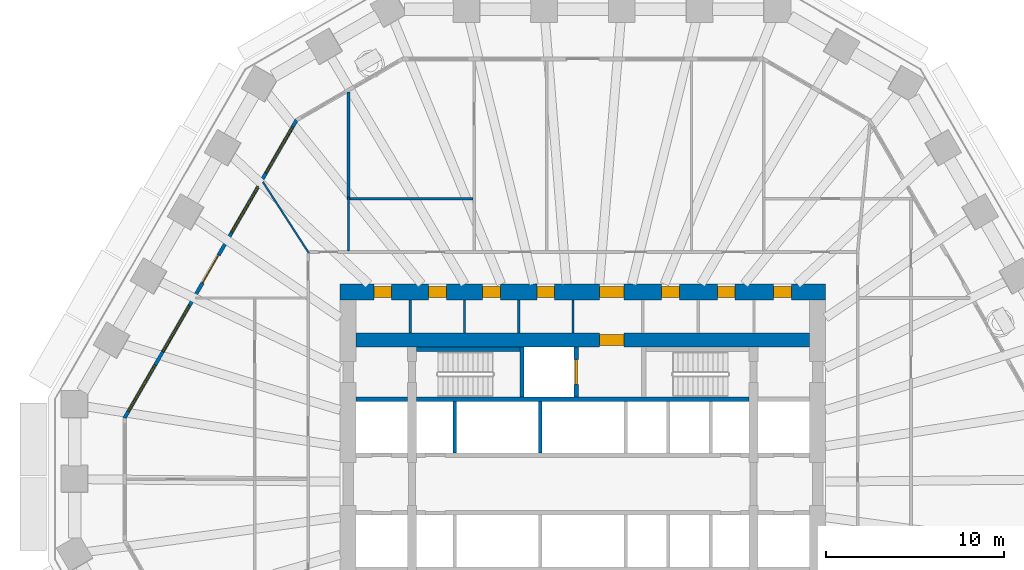
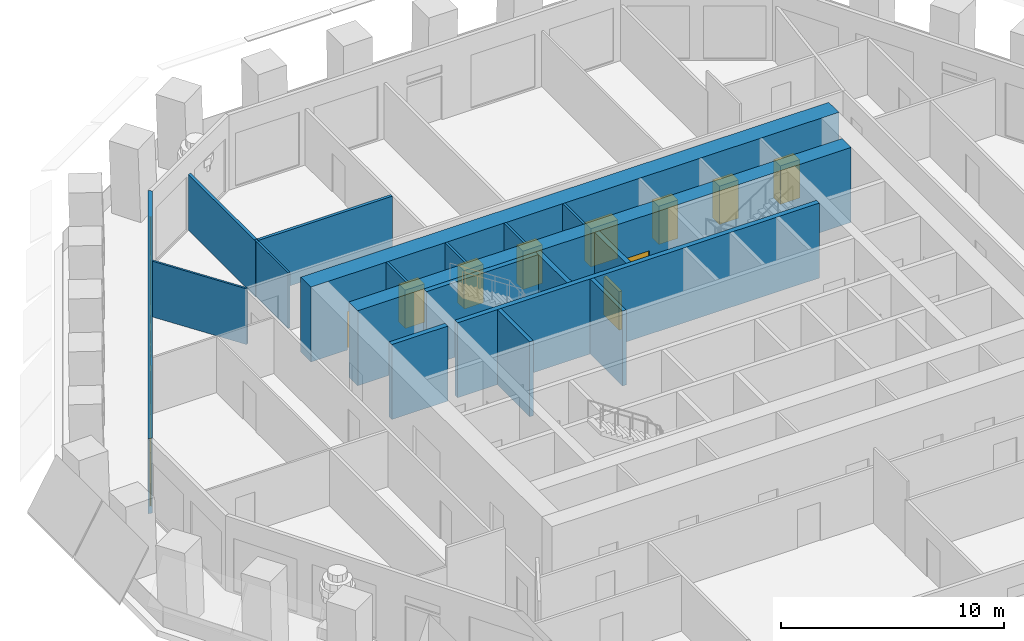
# One storey, part 7 of 13: 18 walls, 11 doors, 5 windows, 16 openings.
"""IFC4 building model written with IfcOpenShell, lengths in metres."""

import ifcopenshell
import ifcopenshell.guid

model = None  # the IFC model being written
_history = None  # IfcOwnerHistory: only IFC2X3 demands one
_inside = {}  # id of a spatial element -> (the spatial element, [elements in it])
_under = {}  # id of a project, library or spatial element -> (it, [spatial elements below it])
_declared = {}  # id of a project -> (the project, [libraries it declares])
_typed = {}  # id of a type object -> (the type object, [elements of that type])
_made_of = {}  # id of a material, layer set ... -> (it, [elements and type objects made of it])


def new_model(schema):
    """Start an empty IFC model of exactly this schema.

    Asked for "IFC4X3", IfcOpenShell would pick the latest addendum, in which some entities
    have other attributes; the version numbers below select the first issue.
    IFC2X3 requires an IfcOwnerHistory on every rooted entity: one is made here for all.
    """
    global model, _history
    if schema == "IFC4X3":
        model = ifcopenshell.file(schema_version=(4, 3, 0, 0))
    else:
        model = ifcopenshell.file(schema=schema)
    _inside.clear()
    _under.clear()
    _declared.clear()
    _typed.clear()
    _made_of.clear()
    _history = None
    if model.schema == "IFC2X3":
        org = make("IfcOrganization", Name="unknown")
        user = make(
            "IfcPersonAndOrganization",
            ThePerson=make("IfcPerson", FamilyName="unknown"),
            TheOrganization=org,
        )
        app = make(
            "IfcApplication",
            ApplicationDeveloper=org,
            Version="unknown",
            ApplicationFullName="unknown",
            ApplicationIdentifier="unknown",
        )
        _history = make(
            "IfcOwnerHistory",
            OwningUser=user,
            OwningApplication=app,
            ChangeAction="ADDED",
            CreationDate=0,
        )
    return model


def make(cls, **values):
    """One entity of the class cls with the attributes given. An attribute that is None is left unset."""
    return model.create_entity(
        cls, **{name: value for name, value in values.items() if value is not None}
    )


def rooted(cls, **values):
    """An entity with a GlobalId (a new one), such as an element, a storey or a relation."""
    return make(cls, GlobalId=ifcopenshell.guid.new(), OwnerHistory=_history, **values)


def si_unit(unit_type, name, prefix=None):
    """IfcSIUnit, for example si_unit("LENGTHUNIT", "METRE", prefix="MILLI")."""
    return make("IfcSIUnit", UnitType=unit_type, Prefix=prefix, Name=name)


def assignment(units):
    """IfcUnitAssignment: the units of a project."""
    return None if units is None else make("IfcUnitAssignment", Units=units)


def point(xyz):
    """IfcCartesianPoint."""
    return None if xyz is None else make("IfcCartesianPoint", Coordinates=xyz)


def direction(xyz):
    """IfcDirection."""
    return None if xyz is None else make("IfcDirection", DirectionRatios=xyz)


def frame(location, z_axis=None, x_axis=None):
    """IfcAxis2Placement3D, a coordinate frame: its origin and axes. An axis left out is left unset."""
    return make(
        "IfcAxis2Placement3D",
        Location=point(location),
        Axis=direction(z_axis),
        RefDirection=direction(x_axis),
    )


def frame_2d(location, x_axis=None):
    """IfcAxis2Placement2D, a coordinate frame in the plane: its origin and x axis."""
    return make(
        "IfcAxis2Placement2D", Location=point(location), RefDirection=direction(x_axis)
    )


def origin():
    """The frame at (0, 0, 0) with its axes left unset."""
    return frame((0.0, 0.0, 0.0))


def place(relative_to, where):
    """IfcLocalPlacement: puts the frame where relative to a parent placement (None: the world)."""
    return make(
        "IfcLocalPlacement", PlacementRelTo=relative_to, RelativePlacement=where
    )


def context(
    kind, dimensions, precision=None, world=None, true_north=None, identifier=None
):
    """IfcGeometricRepresentationContext, for example the 3D "Model" context."""
    return make(
        "IfcGeometricRepresentationContext",
        ContextIdentifier=identifier,
        ContextType=kind,
        CoordinateSpaceDimension=dimensions,
        Precision=precision,
        WorldCoordinateSystem=world,
        TrueNorth=true_north,
    )


def subcontext(parent, identifier, kind, view, scale=None):
    """IfcGeometricRepresentationSubContext, for example "Body" below "Model"."""
    return make(
        "IfcGeometricRepresentationSubContext",
        ContextIdentifier=identifier,
        ContextType=kind,
        ParentContext=parent,
        TargetScale=scale,
        TargetView=view,
    )


def project(units=None, contexts=None):
    """IfcProject with its units and contexts."""
    return rooted(
        "IfcProject",
        Name="project",
        RepresentationContexts=contexts,
        UnitsInContext=assignment(units),
    )


def spatial(cls, under=None, at=None, **own):
    """A site, building, storey or space (cls), placed at a placement, below another one or the project."""
    s = rooted(cls, ObjectPlacement=at, **own)
    if under is not None:
        _under.setdefault(under.id(), (under, []))[1].append(s)
    return s


def polyline(points):
    """IfcPolyline through the points."""
    return make("IfcPolyline", Points=[point(p) for p in points])


def profile(cls, at=None, kind="AREA", **sizes):
    """A parametric profile (cls). Its sizes go by their IFC names, for example OverallWidth=200.0."""
    return make(cls, ProfileType=kind, Position=at, **sizes)


def rectangle(**sizes):
    """IfcRectangleProfileDef."""
    return profile("IfcRectangleProfileDef", **sizes)


def outline(outer, holes=None, kind="AREA"):
    """IfcArbitraryClosedProfileDef: a profile drawn as a closed curve; with holes, ...WithVoids."""
    if holes is None:
        return make("IfcArbitraryClosedProfileDef", ProfileType=kind, OuterCurve=outer)
    return make(
        "IfcArbitraryProfileDefWithVoids",
        ProfileType=kind,
        OuterCurve=outer,
        InnerCurves=holes,
    )


def extrude(swept, where, along, depth):
    """IfcExtrudedAreaSolid: the profile swept, set in the frame where, extruded along a direction by depth."""
    return make(
        "IfcExtrudedAreaSolid",
        SweptArea=swept,
        Position=where,
        ExtrudedDirection=direction(along),
        Depth=depth,
    )


def shape(context_of_items, identifier, shape_type, items):
    """IfcShapeRepresentation: the items that make up one representation, for example the "Body"."""
    return make(
        "IfcShapeRepresentation",
        ContextOfItems=context_of_items,
        RepresentationIdentifier=identifier,
        RepresentationType=shape_type,
        Items=items,
    )


def material(Name=None, Category=None):
    """IfcMaterial."""
    return make("IfcMaterial", Name=Name, Category=Category)


def layer(
    of_material, thickness, ventilated=None, Name=None, Category=None, Priority=None
):
    """IfcMaterialLayer: one layer of a wall or slab, of a material (None: an air gap)."""
    return make(
        "IfcMaterialLayer",
        Material=of_material,
        LayerThickness=thickness,
        IsVentilated=ventilated,
        Name=Name,
        Category=Category,
        Priority=Priority,
    )


def layer_set(layers, Name=None):
    """IfcMaterialLayerSet."""
    return make("IfcMaterialLayerSet", MaterialLayers=layers, LayerSetName=Name)


def made_of(thing, what):
    """Note that an element or type object is made of a material, layer set ...; save() writes the relation."""
    if what is not None:
        _made_of.setdefault(what.id(), (what, []))[1].append(thing)
    return thing


def type_object(cls, material=None, **own):
    """A type object (cls), such as IfcWallType, which elements share."""
    return made_of(rooted(cls, **own), material)


def element(
    cls,
    number,
    at=None,
    inside=None,
    cuts=None,
    type_object=None,
    material=None,
    context=None,
    identifier="Body",
    shape_type=None,
    held_by="IfcProductDefinitionShape",
    body=None,
    shapes=None,
    **own,
):
    """One element of the class cls, such as IfcWall. Its Tag is "e" and its number.

    at: its placement. inside: the storey or other place that contains it. cuts: it is an
    opening in that element (IfcRelVoidsElement). A single representation is given by context,
    identifier, shape_type and body (its items); several are given by shapes. held_by: the class
    of the entity that holds the representations. save() writes the other relations.
    """
    e = rooted(cls, Tag="e%d" % number, ObjectPlacement=at, **own)
    if body is not None:
        shapes = [shape(context, identifier, shape_type, body)]
    if shapes is not None:
        e.Representation = make(held_by, Representations=shapes)
    if inside is not None:
        _inside.setdefault(inside.id(), (inside, []))[1].append(e)
    if cuts is not None:
        rooted(
            "IfcRelVoidsElement", RelatingBuildingElement=cuts, RelatedOpeningElement=e
        )
    if type_object is not None:
        _typed.setdefault(type_object.id(), (type_object, []))[1].append(e)
    return made_of(e, material)


def fill(opening, filler):
    """IfcRelFillsElement: the door or window that sits in an opening."""
    return rooted(
        "IfcRelFillsElement",
        RelatingOpeningElement=opening,
        RelatedBuildingElement=filler,
    )


def aggregate(whole, parts):
    """IfcRelAggregates: a whole, such as a stair, and the parts it consists of."""
    return rooted("IfcRelAggregates", RelatingObject=whole, RelatedObjects=parts)


def save(model, path):
    """Write the relations noted so far, then the file.

    IfcRelAggregates (storeys below a building ...), IfcRelContainedInSpatialStructure (elements
    in a storey), IfcRelDefinesByType, IfcRelAssociatesMaterial and IfcRelDeclares: one each for
    every whole, place, type object, material and project.
    """
    for whole, parts in _under.values():
        aggregate(whole, parts)
    for where, things in _inside.values():
        rooted(
            "IfcRelContainedInSpatialStructure",
            RelatedElements=things,
            RelatingStructure=where,
        )
    for kind, things in _typed.values():
        rooted("IfcRelDefinesByType", RelatedObjects=things, RelatingType=kind)
    for what, things in _made_of.values():
        rooted("IfcRelAssociatesMaterial", RelatedObjects=things, RelatingMaterial=what)
    for by, libraries in _declared.values():
        rooted("IfcRelDeclares", RelatingContext=by, RelatedDefinitions=libraries)
    model.write(path)


model = new_model("IFC4")

# Units and contexts
model_context = context("Model", 3, precision=1e-05, world=origin(), true_north=direction((0.0, 1.0)))
body_context = subcontext(model_context, "Body", "Model", "MODEL_VIEW")
ifc_project = project(units=[si_unit("LENGTHUNIT", "METRE"), si_unit("AREAUNIT", "SQUARE_METRE"), si_unit("VOLUMEUNIT", "CUBIC_METRE"), si_unit("PLANEANGLEUNIT", "RADIAN"), si_unit("MASSUNIT", "GRAM", prefix="KILO")], contexts=[model_context])

# Site, building, storey
site_placement = place(None, origin())
site = spatial("IfcSite", under=ifc_project, at=site_placement, CompositionType="ELEMENT")
building_placement = place(site_placement, origin())
building = spatial("IfcBuilding", under=site, at=building_placement, Name="Frailejon Research Tower", CompositionType="ELEMENT")
storey_placement = place(building_placement, frame((0.0, 0.0, 23.39990234375)))
storey = spatial("IfcBuildingStorey", under=building, at=storey_placement, Name="L05", CompositionType="ELEMENT", Elevation=23.39990234375)

# Walls
ifc_material_1 = material(Name="Plasterboard on steel studs", Category="steel")
ifc_layer_1 = layer(ifc_material_1, 0.125)
ifc_layer_set_1 = layer_set([ifc_layer_1], Name="Core partition 125")
wall_type_1 = type_object("IfcWallType", Name="Core partition 125", PredefinedType="PARTITIONING", material=ifc_layer_set_1)
for number, where, z_axis, x_axis, name in (
    (1, (-9.703125, 8.5, 0.0), (0.0, 0.0, 1.0), (0.0, 1.0, 0.0), "Core partition"),
    (2, (-6.65625, 8.5, 0.0), (0.0, 0.0, 1.0), (0.0, 1.0, 0.0), "Core partition"),
    (3, (-3.609375, 8.5, 0.0), (0.0, 0.0, 1.0), (0.0, 1.0, 0.0), "Core partition"),
    (4, (-0.5625, 8.5, 0.0), (0.0, 0.0, 1.0), (0.0, 1.0, 0.0), "Core partition"),
):
    element("IfcWall", number, at=place(storey_placement, frame(where, z_axis=z_axis, x_axis=x_axis)), inside=storey, type_object=wall_type_1, Name=name, PredefinedType="PARTITIONING", context=body_context, shape_type="SweptSolid", body=[
        extrude(rectangle(XDim=1.85009765625, YDim=0.125, at=frame_2d((0.925048828125, 0.0))), origin(), (0.0, 0.0, 1.0), 4.10009765625),
    ])

# Wall, opening, door
ifc_material_2 = material(Name="Concrete C70/85", Category="concrete")
ifc_layer_2 = layer(ifc_material_2, 0.800048828125)
ifc_layer_set_2 = layer_set([ifc_layer_2], Name="Core shear wall 800 C70/85")
wall_type_2 = type_object("IfcWallType", Name="Core shear wall 800 C70/85", PredefinedType="SHEAR", material=ifc_layer_set_2)
wall_1_placement = place(storey_placement, frame((-12.75, 8.10009765625, 0.0), z_axis=(0.0, 0.0, 1.0), x_axis=(1.0, 0.0, 0.0)))
wall_1 = element("IfcWall", 5, at=wall_1_placement, inside=storey, type_object=wall_type_2, Name="Core shear wall", PredefinedType="SHEAR", context=body_context, shape_type="SweptSolid", body=[
    extrude(rectangle(XDim=25.5, YDim=0.800048828125, at=frame_2d((12.75, 0.0))), origin(), (0.0, 0.0, 1.0), 4.10009765625),
])
opening_1_placement = place(wall_1_placement, frame((13.675048828125, 0.0, 0.0)))
opening_1 = element("IfcOpeningElement", 6, at=opening_1_placement, cuts=wall_1, Name="Opening D9", PredefinedType="OPENING", context=body_context, shape_type="SweptSolid", body=[
    extrude(rectangle(XDim=1.39990234375, YDim=2.10009765625, at=frame_2d((0.699951171875, 1.050048828125))), frame((0.0, 0.409912109375, 0.0), z_axis=(0.0, -1.0, 0.0), x_axis=(1.0, 0.0, 0.0)), (0.0, 0.0, 1.0), 0.820068359375),
])
ifc_material_3 = material(Name="Steel", Category="steel")
door_type_1 = type_object("IfcDoorType", Name="Goods lobby door", OperationType="DOUBLE_DOOR_SINGLE_SWING", PredefinedType="DOOR", material=ifc_material_3)
door_1_placement = place(opening_1_placement, origin())
door_1 = element("IfcDoor", 7, at=door_1_placement, inside=storey, type_object=door_type_1, Name="Goods lobby door", OperationType="DOUBLE_DOOR_SINGLE_SWING", OverallHeight=2.10009765625, OverallWidth=1.39990234375, PredefinedType="DOOR", context=body_context, shape_type="SweptSolid", body=[
    extrude(rectangle(XDim=1.39990234375, YDim=2.10009765625, at=frame_2d((0.699951171875, 1.050048828125))), frame((0.0, 0.300048828125, 0.0), z_axis=(0.0, -1.0, 0.0), x_axis=(1.0, 0.0, 0.0)), (0.0, 0.0, 1.0), 0.60009765625),
])
fill(opening_1, door_1)

# Wall, openings, doors
ifc_material_4 = material(Name="Concrete C70/85", Category="concrete")
ifc_layer_3 = layer(ifc_material_4, 0.89990234375)
ifc_layer_set_3 = layer_set([ifc_layer_3], Name="Core shear wall 900 C70/85")
wall_type_3 = type_object("IfcWallType", Name="Core shear wall 900 C70/85", PredefinedType="SHEAR", material=ifc_layer_set_3)
wall_2_placement = place(storey_placement, frame((-13.64990234375, 10.800048828125, 0.0), z_axis=(0.0, 0.0, 1.0), x_axis=(1.0, 0.0, 0.0)))
wall_2 = element("IfcWall", 8, at=wall_2_placement, inside=storey, type_object=wall_type_3, Name="Core shear wall", PredefinedType="SHEAR", context=body_context, shape_type="SweptSolid", body=[
    extrude(rectangle(XDim=27.2998046875, YDim=0.89990234375, at=frame_2d((13.64990234375, 0.0))), origin(), (0.0, 0.0, 1.0), 4.10009765625),
])
opening_2_placement = place(wall_2_placement, frame((1.89208984375, 0.0, 0.0)))
opening_2 = element("IfcOpeningElement", 9, at=opening_2_placement, cuts=wall_2, Name="Opening D4", PredefinedType="OPENING", context=body_context, shape_type="SweptSolid", body=[
    extrude(rectangle(XDim=1.0, YDim=2.10009765625, at=frame_2d((0.5, 1.050048828125))), frame((0.0, 0.4599609375, 0.0), z_axis=(0.0, -1.0, 0.0), x_axis=(1.0, 0.0, 0.0)), (0.0, 0.0, 1.0), 0.919921875),
])
opening_3_placement = place(wall_2_placement, frame((4.97021484375, 0.0, 0.0)))
opening_3 = element("IfcOpeningElement", 10, at=opening_3_placement, cuts=wall_2, Name="Opening D4", PredefinedType="OPENING", context=body_context, shape_type="SweptSolid", body=[
    extrude(rectangle(XDim=1.0, YDim=2.10009765625, at=frame_2d((0.5, 1.050048828125))), frame((0.0, 0.4599609375, 0.0), z_axis=(0.0, -1.0, 0.0), x_axis=(1.0, 0.0, 0.0)), (0.0, 0.0, 1.0), 0.919921875),
])
opening_4_placement = place(wall_2_placement, frame((8.01708984375, 0.0, 0.0)))
opening_4 = element("IfcOpeningElement", 11, at=opening_4_placement, cuts=wall_2, Name="Opening D4", PredefinedType="OPENING", context=body_context, shape_type="SweptSolid", body=[
    extrude(rectangle(XDim=1.0, YDim=2.10009765625, at=frame_2d((0.5, 1.050048828125))), frame((0.0, 0.4599609375, 0.0), z_axis=(0.0, -1.0, 0.0), x_axis=(1.0, 0.0, 0.0)), (0.0, 0.0, 1.0), 0.919921875),
])
opening_5_placement = place(wall_2_placement, frame((11.064208984375, 0.0, 0.0)))
opening_5 = element("IfcOpeningElement", 12, at=opening_5_placement, cuts=wall_2, Name="Opening D4", PredefinedType="OPENING", context=body_context, shape_type="SweptSolid", body=[
    extrude(rectangle(XDim=1.0, YDim=2.10009765625, at=frame_2d((0.5, 1.050048828125))), frame((0.0, 0.4599609375, 0.0), z_axis=(0.0, -1.0, 0.0), x_axis=(1.0, 0.0, 0.0)), (0.0, 0.0, 1.0), 0.919921875),
])
opening_6_placement = place(wall_2_placement, frame((18.0771484375, 0.0, 0.0)))
opening_6 = element("IfcOpeningElement", 13, at=opening_6_placement, cuts=wall_2, Name="Opening D4", PredefinedType="OPENING", context=body_context, shape_type="SweptSolid", body=[
    extrude(rectangle(XDim=1.0, YDim=2.10009765625, at=frame_2d((0.5, 1.050048828125))), frame((0.0, 0.4599609375, 0.0), z_axis=(0.0, -1.0, 0.0), x_axis=(1.0, 0.0, 0.0)), (0.0, 0.0, 1.0), 0.919921875),
])
opening_7_placement = place(wall_2_placement, frame((21.206298828125, 0.0, 0.0)))
opening_7 = element("IfcOpeningElement", 14, at=opening_7_placement, cuts=wall_2, Name="Opening D4", PredefinedType="OPENING", context=body_context, shape_type="SweptSolid", body=[
    extrude(rectangle(XDim=1.0, YDim=2.10009765625, at=frame_2d((0.5, 1.050048828125))), frame((0.0, 0.4599609375, 0.0), z_axis=(0.0, -1.0, 0.0), x_axis=(1.0, 0.0, 0.0)), (0.0, 0.0, 1.0), 0.919921875),
])
opening_8_placement = place(wall_2_placement, frame((24.36669921875, 0.0, 0.0)))
opening_8 = element("IfcOpeningElement", 15, at=opening_8_placement, cuts=wall_2, Name="Opening D4", PredefinedType="OPENING", context=body_context, shape_type="SweptSolid", body=[
    extrude(rectangle(XDim=1.0, YDim=2.10009765625, at=frame_2d((0.5, 1.050048828125))), frame((0.0, 0.4599609375, 0.0), z_axis=(0.0, -1.0, 0.0), x_axis=(1.0, 0.0, 0.0)), (0.0, 0.0, 1.0), 0.919921875),
])
opening_9_placement = place(wall_2_placement, frame((14.574951171875, 0.0, 0.0)))
opening_9 = element("IfcOpeningElement", 16, at=opening_9_placement, cuts=wall_2, Name="Opening D9", PredefinedType="OPENING", context=body_context, shape_type="SweptSolid", body=[
    extrude(rectangle(XDim=1.39990234375, YDim=2.10009765625, at=frame_2d((0.699951171875, 1.050048828125))), frame((0.0, 0.4599609375, 0.0), z_axis=(0.0, -1.0, 0.0), x_axis=(1.0, 0.0, 0.0)), (0.0, 0.0, 1.0), 0.919921875),
])
door_2_placement = place(opening_9_placement, origin())
door_2 = element("IfcDoor", 17, at=door_2_placement, inside=storey, type_object=door_type_1, Name="Passage door", OperationType="DOUBLE_DOOR_SINGLE_SWING", OverallHeight=2.10009765625, OverallWidth=1.39990234375, PredefinedType="DOOR", context=body_context, shape_type="SweptSolid", body=[
    extrude(rectangle(XDim=1.39990234375, YDim=2.10009765625, at=frame_2d((0.699951171875, 1.050048828125))), frame((0.0, 0.300048828125, 0.0), z_axis=(0.0, -1.0, 0.0), x_axis=(1.0, 0.0, 0.0)), (0.0, 0.0, 1.0), 0.60009765625),
])
fill(opening_9, door_2)
ifc_material_5 = material(Name="Steel", Category="steel")
door_type_2 = type_object("IfcDoorType", Name="Service door", OperationType="SINGLE_SWING_LEFT", PredefinedType="DOOR", material=ifc_material_5)
door_3_placement = place(opening_2_placement, origin())
door_3 = element("IfcDoor", 18, at=door_3_placement, inside=storey, type_object=door_type_2, Name="Room door", OperationType="SINGLE_SWING_LEFT", OverallHeight=2.10009765625, OverallWidth=1.0, PredefinedType="DOOR", context=body_context, shape_type="SweptSolid", body=[
    extrude(rectangle(XDim=1.0, YDim=2.10009765625, at=frame_2d((0.5, 1.050048828125))), frame((0.0, 0.300048828125, 0.0), z_axis=(0.0, -1.0, 0.0), x_axis=(1.0, 0.0, 0.0)), (0.0, 0.0, 1.0), 0.60009765625),
])
fill(opening_2, door_3)
door_4_placement = place(opening_3_placement, origin())
door_4 = element("IfcDoor", 19, at=door_4_placement, inside=storey, type_object=door_type_2, Name="Room door", OperationType="SINGLE_SWING_RIGHT", OverallHeight=2.10009765625, OverallWidth=1.0, PredefinedType="DOOR", context=body_context, shape_type="SweptSolid", body=[
    extrude(rectangle(XDim=1.0, YDim=2.10009765625, at=frame_2d((0.5, 1.050048828125))), frame((0.0, 0.300048828125, 0.0), z_axis=(0.0, -1.0, 0.0), x_axis=(1.0, 0.0, 0.0)), (0.0, 0.0, 1.0), 0.60009765625),
])
fill(opening_3, door_4)
door_5_placement = place(opening_4_placement, origin())
door_5 = element("IfcDoor", 20, at=door_5_placement, inside=storey, type_object=door_type_2, Name="Room door", OperationType="SINGLE_SWING_LEFT", OverallHeight=2.10009765625, OverallWidth=1.0, PredefinedType="DOOR", context=body_context, shape_type="SweptSolid", body=[
    extrude(rectangle(XDim=1.0, YDim=2.10009765625, at=frame_2d((0.5, 1.050048828125))), frame((0.0, 0.300048828125, 0.0), z_axis=(0.0, -1.0, 0.0), x_axis=(1.0, 0.0, 0.0)), (0.0, 0.0, 1.0), 0.60009765625),
])
fill(opening_4, door_5)
door_6_placement = place(opening_5_placement, origin())
door_6 = element("IfcDoor", 21, at=door_6_placement, inside=storey, type_object=door_type_2, Name="Room door", OperationType="SINGLE_SWING_RIGHT", OverallHeight=2.10009765625, OverallWidth=1.0, PredefinedType="DOOR", context=body_context, shape_type="SweptSolid", body=[
    extrude(rectangle(XDim=1.0, YDim=2.10009765625, at=frame_2d((0.5, 1.050048828125))), frame((0.0, 0.300048828125, 0.0), z_axis=(0.0, -1.0, 0.0), x_axis=(1.0, 0.0, 0.0)), (0.0, 0.0, 1.0), 0.60009765625),
])
fill(opening_5, door_6)
door_7_placement = place(opening_6_placement, origin())
door_7 = element("IfcDoor", 22, at=door_7_placement, inside=storey, type_object=door_type_2, Name="Room door", OperationType="SINGLE_SWING_LEFT", OverallHeight=2.10009765625, OverallWidth=1.0, PredefinedType="DOOR", context=body_context, shape_type="SweptSolid", body=[
    extrude(rectangle(XDim=1.0, YDim=2.10009765625, at=frame_2d((0.5, 1.050048828125))), frame((0.0, 0.300048828125, 0.0), z_axis=(0.0, -1.0, 0.0), x_axis=(1.0, 0.0, 0.0)), (0.0, 0.0, 1.0), 0.60009765625),
])
fill(opening_6, door_7)
door_8_placement = place(opening_7_placement, origin())
door_8 = element("IfcDoor", 23, at=door_8_placement, inside=storey, type_object=door_type_2, Name="Room door", OperationType="SINGLE_SWING_RIGHT", OverallHeight=2.10009765625, OverallWidth=1.0, PredefinedType="DOOR", context=body_context, shape_type="SweptSolid", body=[
    extrude(rectangle(XDim=1.0, YDim=2.10009765625, at=frame_2d((0.5, 1.050048828125))), frame((0.0, 0.300048828125, 0.0), z_axis=(0.0, -1.0, 0.0), x_axis=(1.0, 0.0, 0.0)), (0.0, 0.0, 1.0), 0.60009765625),
])
fill(opening_7, door_8)
door_9_placement = place(opening_8_placement, origin())
door_9 = element("IfcDoor", 24, at=door_9_placement, inside=storey, type_object=door_type_2, Name="Room door", OperationType="SINGLE_SWING_LEFT", OverallHeight=2.10009765625, OverallWidth=1.0, PredefinedType="DOOR", context=body_context, shape_type="SweptSolid", body=[
    extrude(rectangle(XDim=1.0, YDim=2.10009765625, at=frame_2d((0.5, 1.050048828125))), frame((0.0, 0.300048828125, 0.0), z_axis=(0.0, -1.0, 0.0), x_axis=(1.0, 0.0, 0.0)), (0.0, 0.0, 1.0), 0.60009765625),
])
fill(opening_8, door_9)

# Walls
ifc_material_6 = material(Name="Gypsum board and masonry partition", Category="masonry")
ifc_layer_4 = layer(ifc_material_6, 0.14990234375)
ifc_layer_set_4 = layer_set([ifc_layer_4], Name="Laboratory partition, blockwork 150")
wall_type_4 = type_object("IfcWallType", Name="Laboratory partition, blockwork 150", PredefinedType="PARTITIONING", material=ifc_layer_set_4)
wall_3_placement = place(storey_placement, frame((-13.1005859375, 16.050048828125, 0.0), z_axis=(0.0, 0.0, 1.0), x_axis=(1.0, 0.0, 0.0)))
element("IfcWall", 25, at=wall_3_placement, inside=storey, type_object=wall_type_4, Name="T:IW:L05:008", PredefinedType="PARTITIONING", context=body_context, shape_type="SweptSolid", body=[
    extrude(rectangle(XDim=6.920166015625, YDim=0.14990234375, at=frame_2d((3.4599609375, 0.0))), origin(), (0.0, 0.0, 1.0), 3.050048828125),
])
wall_4_placement = place(storey_placement, frame((-13.17578125, 15.97509765625, 0.0), z_axis=(0.0, 0.0, 1.0), x_axis=(0.0, 1.0, 0.0)))
element("IfcWall", 26, at=wall_4_placement, inside=storey, type_object=wall_type_4, Name="T:IW:L05:014", PredefinedType="PARTITIONING", context=body_context, shape_type="SweptSolid", body=[
    extrude(rectangle(XDim=6.06201171875, YDim=0.14990234375, at=frame_2d((3.031005859375, 0.0))), origin(), (0.0, 0.0, 1.0), 3.050048828125),
])
ifc_material_7 = material(Name="Gypsum board and masonry partition", Category="masonry")
ifc_layer_5 = layer(ifc_material_7, 0.10009765625)
ifc_layer_set_5 = layer_set([ifc_layer_5], Name="Partition, gypsum on steel studs 100")
wall_type_5 = type_object("IfcWallType", Name="Partition, gypsum on steel studs 100", PredefinedType="PARTITIONING", material=ifc_layer_set_5)
wall_5_placement = place(storey_placement, frame((-13.17578125, 13.125, 0.0), z_axis=(0.0, 0.0, 1.0), x_axis=(0.0, 1.0, 0.0)))
element("IfcWall", 27, at=wall_5_placement, inside=storey, type_object=wall_type_5, Name="T:IW:L05:027", PredefinedType="PARTITIONING", context=body_context, shape_type="SweptSolid", body=[
    extrude(rectangle(XDim=3.0, YDim=0.10009765625, at=frame_2d((1.5, 0.0))), origin(), (0.0, 0.0, 1.0), 3.050048828125),
])
wall_6_placement = place(storey_placement, frame((-17.9931640625, 16.988037109375, 0.0), z_axis=(0.0, 0.0, 1.0), x_axis=(0.542528445802, -0.840037431009, 0.0)))
element("IfcWall", 28, at=wall_6_placement, inside=storey, type_object=wall_type_5, Name="T:IW:L05:028", PredefinedType="PARTITIONING", context=body_context, shape_type="SweptSolid", body=[
    extrude(rectangle(XDim=4.762939453125, YDim=0.10009765625, at=frame_2d((2.38134765625, 0.0))), origin(), (0.0, 0.0, 1.0), 3.050048828125),
])
ifc_material_8 = material(Name="Concrete C70/85", Category="concrete")
ifc_layer_6 = layer(ifc_material_8, 0.199951171875)
ifc_layer_set_6 = layer_set([ifc_layer_6], Name="Shaft wall 200 C70/85")
wall_type_6 = type_object("IfcWallType", Name="Shaft wall 200 C70/85", PredefinedType="SOLIDWALL", material=ifc_layer_set_6)
for number, where, z_axis, x_axis, name in (
    (29, (-7.199951171875, 1.75, 0.0), (0.0, 0.0, 1.0), (0.0, 1.0, 0.0), "Shaft wall"),
    (30, (-2.39990234375, 1.75, 0.0), (0.0, 0.0, 1.0), (0.0, 1.0, 0.0), "Shaft wall"),
):
    element("IfcWall", number, at=place(storey_placement, frame(where, z_axis=z_axis, x_axis=x_axis)), inside=storey, type_object=wall_type_6, Name=name, PredefinedType="SOLIDWALL", context=body_context, shape_type="SweptSolid", body=[
        extrude(rectangle(XDim=2.89990234375, YDim=0.199951171875, at=frame_2d((1.449951171875, 0.0))), origin(), (0.0, 0.0, 1.0), 4.10009765625),
    ])
ifc_material_9 = material(Name="Concrete C70/85", Category="concrete")
ifc_layer_7 = layer(ifc_material_9, 0.25)
ifc_layer_set_7 = layer_set([ifc_layer_7], Name="Shaft wall 250 C70/85")
wall_type_7 = type_object("IfcWallType", Name="Shaft wall 250 C70/85", PredefinedType="SOLIDWALL", material=ifc_layer_set_7)
wall_7_placement = place(storey_placement, frame((-12.75, 4.77490234375, 0.0), z_axis=(0.0, 0.0, 1.0), x_axis=(1.0, 0.0, 0.0)))
element("IfcWall", 31, at=wall_7_placement, inside=storey, type_object=wall_type_7, Name="Shaft wall", PredefinedType="SOLIDWALL", context=body_context, shape_type="SweptSolid", body=[
    extrude(rectangle(XDim=2.89990234375, YDim=0.25, at=frame_2d((1.449951171875, 0.0))), origin(), (0.0, 0.0, 1.0), 4.10009765625),
])
wall_8_placement = place(storey_placement, frame((-9.35009765625, 4.77490234375, 0.0), z_axis=(0.0, 0.0, 1.0), x_axis=(1.0, 0.0, 0.0)))
element("IfcWall", 32, at=wall_8_placement, inside=storey, type_object=wall_type_7, Name="Shaft wall", PredefinedType="SOLIDWALL", context=body_context, shape_type="SweptSolid", body=[
    extrude(rectangle(XDim=18.7001953125, YDim=0.25, at=frame_2d((9.35009765625, 0.0))), origin(), (0.0, 0.0, 1.0), 4.10009765625),
])
wall_9_placement = place(storey_placement, frame((-9.35009765625, 7.574951171875, 0.0), z_axis=(0.0, 0.0, 1.0), x_axis=(1.0, 0.0, 0.0)))
element("IfcWall", 33, at=wall_9_placement, inside=storey, type_object=wall_type_7, Name="Shaft wall", PredefinedType="SOLIDWALL", context=body_context, shape_type="SweptSolid", body=[
    extrude(rectangle(XDim=5.800048828125, YDim=0.25, at=frame_2d((2.89990234375, 0.0))), origin(), (0.0, 0.0, 1.0), 4.10009765625),
])
wall_10_placement = place(storey_placement, frame((-3.425048828125, 4.89990234375, 0.0), z_axis=(0.0, 0.0, 1.0), x_axis=(0.0, 1.0, 0.0)))
element("IfcWall", 34, at=wall_10_placement, inside=storey, type_object=wall_type_7, Name="Shaft wall", PredefinedType="SOLIDWALL", context=body_context, shape_type="SweptSolid", body=[
    extrude(rectangle(XDim=2.800048828125, YDim=0.25, at=frame_2d((1.39990234375, 0.0))), origin(), (0.0, 0.0, 1.0), 4.10009765625),
])

# Wall, opening, door
wall_11_placement = place(storey_placement, frame((-0.375, 4.89990234375, 0.0), z_axis=(0.0, 0.0, 1.0), x_axis=(0.0, 1.0, 0.0)))
wall_11 = element("IfcWall", 35, at=wall_11_placement, inside=storey, type_object=wall_type_7, Name="Shaft wall", PredefinedType="SOLIDWALL", context=body_context, shape_type="SweptSolid", body=[
    extrude(rectangle(XDim=2.800048828125, YDim=0.25, at=frame_2d((1.39990234375, 0.0))), origin(), (0.0, 0.0, 1.0), 4.10009765625),
])
opening_10_placement = place(wall_11_placement, frame((0.699951171875, 0.0, 0.0)))
opening_10 = element("IfcOpeningElement", 36, at=opening_10_placement, cuts=wall_11, Name="Opening LD2", PredefinedType="OPENING", context=body_context, shape_type="SweptSolid", body=[
    extrude(rectangle(XDim=1.39990234375, YDim=2.10009765625, at=frame_2d((0.699951171875, 1.050048828125))), frame((0.0, 0.135009765625, 0.0), z_axis=(0.0, -1.0, 0.0), x_axis=(1.0, 0.0, 0.0)), (0.0, 0.0, 1.0), 0.27001953125),
])
ifc_material_10 = material(Name="Stainless steel", Category="steel")
door_type_3 = type_object("IfcDoorType", Name="Goods landing door", OperationType="DOUBLE_DOOR_SLIDING", PredefinedType="DOOR", material=ifc_material_10)
door_10_placement = place(opening_10_placement, origin())
door_10 = element("IfcDoor", 37, at=door_10_placement, inside=storey, type_object=door_type_3, Name="Lift landing door", OperationType="DOUBLE_DOOR_SLIDING", OverallHeight=2.10009765625, OverallWidth=1.39990234375, PredefinedType="DOOR", context=body_context, shape_type="SweptSolid", body=[
    extrude(rectangle(XDim=1.39990234375, YDim=2.10009765625, at=frame_2d((0.699951171875, 1.050048828125))), frame((0.0, 0.074951171875, 0.0), z_axis=(0.0, -1.0, 0.0), x_axis=(1.0, 0.0, 0.0)), (0.0, 0.0, 1.0), 0.14990234375),
])
fill(opening_10, door_10)

# Wall, openings, door, windows
ifc_material_11 = material(Name="Concrete C40/50 precast window wall panel", Category="concrete")
ifc_layer_8 = layer(ifc_material_11, 0.199951171875)
ifc_layer_set_8 = layer_set([ifc_layer_8], Name="Window wall 200")
wall_type_8 = type_object("IfcWallType", Name="Window wall 200", PredefinedType="SOLIDWALL", material=ifc_layer_set_8)
wall_12_placement = place(storey_placement, frame((-16.1025390625, 20.462646484375, 0.0), z_axis=(0.0, 0.0, 1.0), x_axis=(-0.500000373815, -0.866025187962, 0.0)))
wall_12 = element("IfcWall", 38, at=wall_12_placement, inside=storey, type_object=wall_type_8, Name="Exterior wall L05", PredefinedType="SOLIDWALL", context=body_context, shape_type="SweptSolid", body=[
    extrude(outline(polyline([(-0.02685546875, -0.10009765625), (0.993896484375, -0.10009765625), (2.0146484375, -0.10009765625), (3.035400390625, -0.10009765625), (4.055908203125, -0.10009765625), (5.07666015625, -0.10009765625), (6.097412109375, -0.10009765625), (7.1181640625, -0.10009765625), (8.138916015625, -0.10009765625), (9.15966796875, -0.10009765625), (10.18017578125, -0.10009765625), (11.200927734375, -0.10009765625), (12.2216796875, -0.10009765625), (13.242431640625, -0.10009765625), (14.26318359375, -0.10009765625), (15.283935546875, -0.10009765625), (16.304443359375, -0.10009765625), (17.3251953125, -0.10009765625), (18.345947265625, -0.10009765625), (19.36669921875, -0.10009765625), (19.31298828125, 0.10009765625), (18.2978515625, 0.10009765625), (17.282958984375, 0.10009765625), (16.267822265625, 0.10009765625), (15.252685546875, 0.10009765625), (14.23779296875, 0.10009765625), (13.22265625, 0.10009765625), (12.20751953125, 0.10009765625), (11.192626953125, 0.10009765625), (10.177490234375, 0.10009765625), (9.162353515625, 0.10009765625), (8.147216796875, 0.10009765625), (7.13232421875, 0.10009765625), (6.1171875, 0.10009765625), (5.10205078125, 0.10009765625), (4.087158203125, 0.10009765625), (3.072021484375, 0.10009765625), (2.056884765625, 0.10009765625), (1.0419921875, 0.10009765625), (0.02685546875, 0.10009765625), (-0.02685546875, -0.10009765625)])), origin(), (0.0, 0.0, 1.0), 4.10009765625),
])
opening_11_placement = place(wall_12_placement, frame((0.43408203125, 0.0, 0.10009765625)))
opening_11 = element("IfcOpeningElement", 39, at=opening_11_placement, cuts=wall_12, Name="Opening W4", PredefinedType="OPENING", context=body_context, shape_type="SweptSolid", body=[
    extrude(rectangle(XDim=3.0, YDim=2.89990234375, at=frame_2d((1.5, 1.449951171875))), frame((0.0, 0.10986328125, 0.0), z_axis=(0.0, -1.0, 0.0), x_axis=(1.0, 0.0, 0.0)), (0.0, 0.0, 1.0), 0.219970703125),
])
opening_12_placement = place(wall_12_placement, frame((4.302001953125, 0.0, 0.10009765625)))
opening_12 = element("IfcOpeningElement", 40, at=opening_12_placement, cuts=wall_12, Name="Opening W4", PredefinedType="OPENING", context=body_context, shape_type="SweptSolid", body=[
    extrude(rectangle(XDim=3.0, YDim=2.89990234375, at=frame_2d((1.5, 1.449951171875))), frame((0.0, 0.10986328125, 0.0), z_axis=(0.0, -1.0, 0.0), x_axis=(1.0, 0.0, 0.0)), (0.0, 0.0, 1.0), 0.219970703125),
])
opening_13_placement = place(wall_12_placement, frame((8.77001953125, 0.0, 0.0)))
opening_13 = element("IfcOpeningElement", 41, at=opening_13_placement, cuts=wall_12, Name="Opening LG05-3", PredefinedType="OPENING", context=body_context, shape_type="SweptSolid", body=[
    extrude(rectangle(XDim=1.800048828125, YDim=2.39990234375, at=frame_2d((0.89990234375, 1.199951171875))), frame((0.0, 0.10986328125, 0.0), z_axis=(0.0, -1.0, 0.0), x_axis=(1.0, 0.0, 0.0)), (0.0, 0.0, 1.0), 0.219970703125),
])
opening_14_placement = place(wall_12_placement, frame((8.77001953125, 0.0, 2.550048828125)))
opening_14 = element("IfcOpeningElement", 42, at=opening_14_placement, cuts=wall_12, Name="Opening W1", PredefinedType="OPENING", context=body_context, shape_type="SweptSolid", body=[
    extrude(rectangle(XDim=1.800048828125, YDim=0.449951171875, at=frame_2d((0.89990234375, 0.22509765625))), frame((0.0, 0.10986328125, 0.0), z_axis=(0.0, -1.0, 0.0), x_axis=(1.0, 0.0, 0.0)), (0.0, 0.0, 1.0), 0.219970703125),
])
opening_15_placement = place(wall_12_placement, frame((12.037841796875, 0.0, 0.10009765625)))
opening_15 = element("IfcOpeningElement", 43, at=opening_15_placement, cuts=wall_12, Name="Opening W4", PredefinedType="OPENING", context=body_context, shape_type="SweptSolid", body=[
    extrude(rectangle(XDim=3.0, YDim=2.89990234375, at=frame_2d((1.5, 1.449951171875))), frame((0.0, 0.10986328125, 0.0), z_axis=(0.0, -1.0, 0.0), x_axis=(1.0, 0.0, 0.0)), (0.0, 0.0, 1.0), 0.219970703125),
])
opening_16_placement = place(wall_12_placement, frame((15.906005859375, 0.0, 0.10009765625)))
opening_16 = element("IfcOpeningElement", 44, at=opening_16_placement, cuts=wall_12, Name="Opening W4", PredefinedType="OPENING", context=body_context, shape_type="SweptSolid", body=[
    extrude(rectangle(XDim=3.0, YDim=2.89990234375, at=frame_2d((1.5, 1.449951171875))), frame((0.0, 0.10986328125, 0.0), z_axis=(0.0, -1.0, 0.0), x_axis=(1.0, 0.0, 0.0)), (0.0, 0.0, 1.0), 0.219970703125),
])
ifc_material_12 = material(Name="Aluminium framed glazed door leaf", Category="aluminium")
door_type_4 = type_object("IfcDoorType", Name="Loggia door 1800x2400", OperationType="DOUBLE_DOOR_SINGLE_SWING", PredefinedType="DOOR", material=ifc_material_12)
door_11_placement = place(opening_13_placement, origin())
door_11 = element("IfcDoor", 45, at=door_11_placement, inside=storey, type_object=door_type_4, Name="Door LG05-3", OperationType="DOUBLE_DOOR_SINGLE_SWING", OverallHeight=2.39990234375, OverallWidth=1.800048828125, PredefinedType="DOOR", context=body_context, shape_type="SweptSolid", body=[
    extrude(rectangle(XDim=1.800048828125, YDim=2.39990234375, at=frame_2d((0.89990234375, 1.199951171875))), frame((0.0, 0.02490234375, 0.0), z_axis=(0.0, -1.0, 0.0), x_axis=(1.0, 0.0, 0.0)), (0.0, 0.0, 1.0), 0.050048828125),
])
fill(opening_13, door_11)
ifc_material_13 = material(Name="Aluminium framed double glazing", Category="aluminium")
window_type_1 = type_object("IfcWindowType", Name="Window 1800x450", PartitioningType="SINGLE_PANEL", PredefinedType="WINDOW", material=ifc_material_13)
window_1_placement = place(opening_14_placement, origin())
window_1 = element("IfcWindow", 46, at=window_1_placement, inside=storey, type_object=window_type_1, Name="Window L05", OverallHeight=0.449951171875, OverallWidth=1.800048828125, PartitioningType="SINGLE_PANEL", PredefinedType="WINDOW", context=body_context, shape_type="SweptSolid", body=[
    extrude(rectangle(XDim=1.800048828125, YDim=0.449951171875, at=frame_2d((0.89990234375, 0.22509765625))), frame((0.0, 0.030029296875, 0.0), z_axis=(0.0, -1.0, 0.0), x_axis=(1.0, 0.0, 0.0)), (0.0, 0.0, 1.0), 0.06005859375),
])
fill(opening_14, window_1)
ifc_material_14 = material(Name="Aluminium framed double glazing", Category="aluminium")
window_type_2 = type_object("IfcWindowType", Name="Window 3000x2900", PartitioningType="SINGLE_PANEL", PredefinedType="WINDOW", material=ifc_material_14)
window_2_placement = place(opening_11_placement, origin())
window_2 = element("IfcWindow", 47, at=window_2_placement, inside=storey, type_object=window_type_2, Name="Window L05", OverallHeight=2.89990234375, OverallWidth=3.0, PartitioningType="SINGLE_PANEL", PredefinedType="WINDOW", context=body_context, shape_type="SweptSolid", body=[
    extrude(rectangle(XDim=3.0, YDim=2.89990234375, at=frame_2d((1.5, 1.449951171875))), frame((0.0, 0.030029296875, 0.0), z_axis=(0.0, -1.0, 0.0), x_axis=(1.0, 0.0, 0.0)), (0.0, 0.0, 1.0), 0.06005859375),
])
fill(opening_11, window_2)
window_3_placement = place(opening_12_placement, origin())
window_3 = element("IfcWindow", 48, at=window_3_placement, inside=storey, type_object=window_type_2, Name="Window L05", OverallHeight=2.89990234375, OverallWidth=3.0, PartitioningType="SINGLE_PANEL", PredefinedType="WINDOW", context=body_context, shape_type="SweptSolid", body=[
    extrude(rectangle(XDim=3.0, YDim=2.89990234375, at=frame_2d((1.5, 1.449951171875))), frame((0.0, 0.030029296875, 0.0), z_axis=(0.0, -1.0, 0.0), x_axis=(1.0, 0.0, 0.0)), (0.0, 0.0, 1.0), 0.06005859375),
])
fill(opening_12, window_3)
window_4_placement = place(opening_15_placement, origin())
window_4 = element("IfcWindow", 49, at=window_4_placement, inside=storey, type_object=window_type_2, Name="Window L05", OverallHeight=2.89990234375, OverallWidth=3.0, PartitioningType="SINGLE_PANEL", PredefinedType="WINDOW", context=body_context, shape_type="SweptSolid", body=[
    extrude(rectangle(XDim=3.0, YDim=2.89990234375, at=frame_2d((1.5, 1.449951171875))), frame((0.0, 0.030029296875, 0.0), z_axis=(0.0, -1.0, 0.0), x_axis=(1.0, 0.0, 0.0)), (0.0, 0.0, 1.0), 0.06005859375),
])
fill(opening_15, window_4)
window_5_placement = place(opening_16_placement, origin())
window_5 = element("IfcWindow", 50, at=window_5_placement, inside=storey, type_object=window_type_2, Name="Window L05", OverallHeight=2.89990234375, OverallWidth=3.0, PartitioningType="SINGLE_PANEL", PredefinedType="WINDOW", context=body_context, shape_type="SweptSolid", body=[
    extrude(rectangle(XDim=3.0, YDim=2.89990234375, at=frame_2d((1.5, 1.449951171875))), frame((0.0, 0.030029296875, 0.0), z_axis=(0.0, -1.0, 0.0), x_axis=(1.0, 0.0, 0.0)), (0.0, 0.0, 1.0), 0.06005859375),
])
fill(opening_16, window_5)

save(model, "model.ifc")
